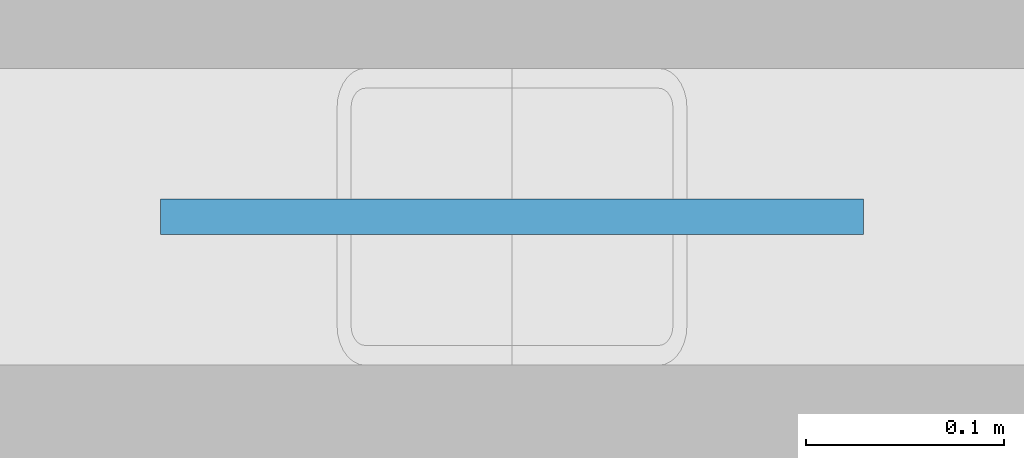
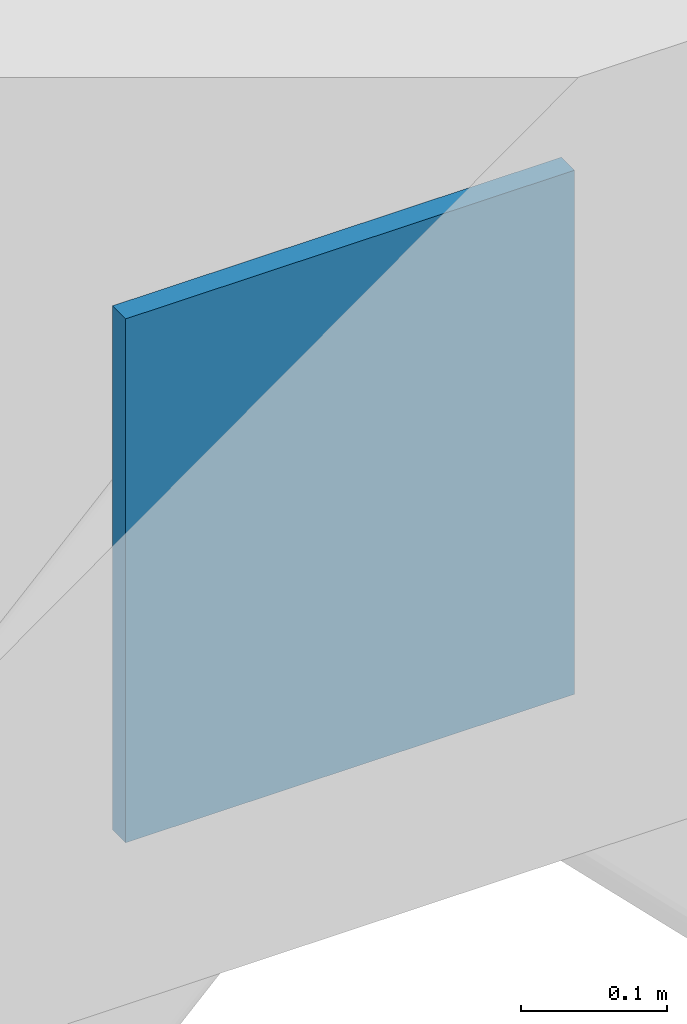
# One storey, part 70 of 102: 1 plate.
"""IFC4 building model written with IfcOpenShell, lengths in metres."""

from ifc_helpers import new_model, si_unit, direction, frame, origin, origin_2d, place, context, subcontext, project, spatial, rectangle, extrude, material, layer, layer_set, type_object, element, save


model = new_model("IFC4")

# Units and contexts
model_context = context("Model", 3, precision=1e-05, world=origin(), true_north=direction((0.0, 1.0)))
body_context = subcontext(model_context, "Body", "Model", "MODEL_VIEW")
ifc_project = project(units=[si_unit("LENGTHUNIT", "METRE"), si_unit("AREAUNIT", "SQUARE_METRE"), si_unit("VOLUMEUNIT", "CUBIC_METRE"), si_unit("PLANEANGLEUNIT", "RADIAN"), si_unit("MASSUNIT", "GRAM", prefix="KILO")], contexts=[model_context])

# Site, building, storey
site_placement = place(None, origin())
site = spatial("IfcSite", under=ifc_project, at=site_placement, CompositionType="ELEMENT")
building_placement = place(site_placement, origin())
building = spatial("IfcBuilding", under=site, at=building_placement, Name="Kolvemor Railside Polytechnic", CompositionType="ELEMENT")
storey_placement = place(building_placement, origin())
storey = spatial("IfcBuildingStorey", under=building, at=storey_placement, Name="L00", CompositionType="ELEMENT", Elevation=0.0)

# Plate
ifc_material = material(Name="Steel S355", Category="steel")
ifc_layer = layer(ifc_material, 0.01806640625, Name="PLT-GUSSET-1")
ifc_layer_set = layer_set([ifc_layer], Name="Steel S355")
plate_type = type_object("IfcPlateType", Name="PLT-GUSSET-1", PredefinedType="USERDEFINED", material=ifc_layer_set)
plate_placement = place(storey_placement, frame((24.0, 120.0, 4.73095703125), z_axis=(0.0, 0.0, 1.0), x_axis=(1.0, 0.0, 0.0)))
element("IfcPlate", 1, at=plate_placement, inside=storey, type_object=plate_type, Name="Brace Chevron Gusset Plate GP-BR01", ObjectType="GUSSET PLATE", PredefinedType="USERDEFINED", context=body_context, shape_type="SweptSolid", body=[
    extrude(rectangle(XDim=0.35498046875, YDim=0.01806640625, at=origin_2d()), origin(), (0.0, 0.0, 1.0), 0.43798828125),
])

save(model, "model.ifc")
